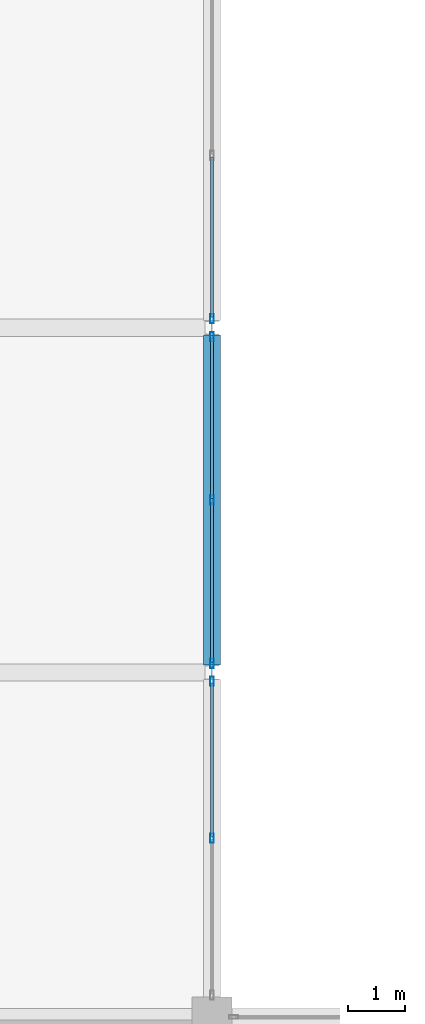
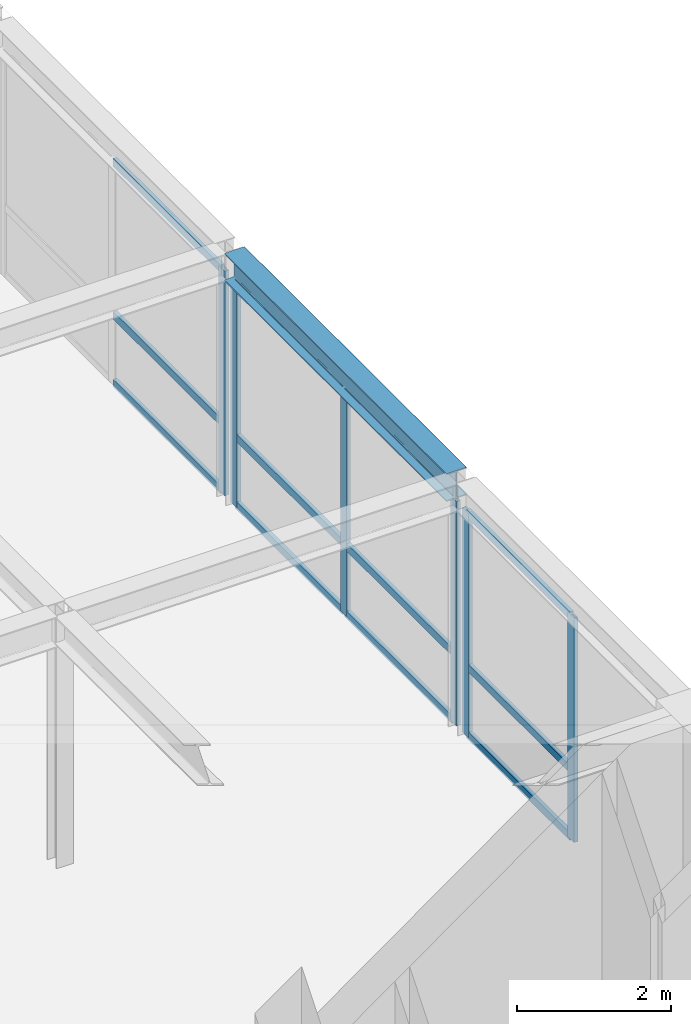
# One storey, part 42 of 111: 18 members, 1 beam, 3 elements without a shape of their own.
"""IFC4 building model written with IfcOpenShell, lengths in metres."""

from ifc_helpers import new_model, si_unit, direction, frame, origin, origin_2d, place, context, subcontext, project, spatial, hollow_rectangle, i_section, extrude, material, layer, layer_set, material_profile, profile_set, type_object, element, aggregate, save


model = new_model("IFC4")

# Units and contexts
model_context = context("Model", 3, precision=1e-05, world=origin(), true_north=direction((0.0, 1.0)))
body_context = subcontext(model_context, "Body", "Model", "MODEL_VIEW")
ifc_project = project(units=[si_unit("LENGTHUNIT", "METRE"), si_unit("AREAUNIT", "SQUARE_METRE"), si_unit("VOLUMEUNIT", "CUBIC_METRE"), si_unit("PLANEANGLEUNIT", "RADIAN"), si_unit("MASSUNIT", "GRAM", prefix="KILO")], contexts=[model_context])

# Site, building, storey
site_placement = place(None, origin())
site = spatial("IfcSite", under=ifc_project, at=site_placement, CompositionType="ELEMENT")
building_placement = place(site_placement, origin())
building = spatial("IfcBuilding", under=site, at=building_placement, Name="Zlatovratsky Civic Hall", CompositionType="ELEMENT")
storey_placement = place(building_placement, frame((0.0, 0.0, 16.5)))
storey = spatial("IfcBuildingStorey", under=building, at=storey_placement, Name="L04", CompositionType="ELEMENT", Elevation=16.5)

# Beam
ifc_material_1 = material(Name="Steel S355", Category="steel")
ifc_material_profile_1 = material_profile(ifc_material_1, i_section(OverallWidth=0.300048828125, OverallDepth=0.43994140625, WebThickness=0.010986328125, FlangeThickness=0.01806640625, FilletRadius=0.02197265625, at=origin_2d()), Name="45Sh1")
ifc_profile_set_1 = profile_set([ifc_material_profile_1], Name="Steel S355")
beam_type = type_object("IfcBeamType", Name="Beam_TowerLow_45Sh1", PredefinedType="BEAM", material=ifc_profile_set_1)
beam_placement = place(storey_placement, frame((18.0, 36.125, 3.780029296875), z_axis=(0.0, 1.0, 0.0), x_axis=(-1.0, 0.0, 0.0)))
element("IfcBeam", 1, at=beam_placement, inside=storey, type_object=beam_type, Name="BM-3550", PredefinedType="BEAM", context=body_context, shape_type="SweptSolid", body=[
    extrude(i_section(OverallWidth=0.300048828125, OverallDepth=0.43994140625, WebThickness=0.010986328125, FlangeThickness=0.01806640625, FilletRadius=0.02197265625, at=origin_2d()), origin(), (0.0, 0.0, 1.0), 5.75),
])

# Curtain wall, members
ifc_material_2 = material(Name="Anodised bronze aluminium", Category="aluminium")
ifc_layer_1 = layer(ifc_material_2, 0.159912109375)
ifc_layer_set_1 = layer_set([ifc_layer_1], Name="Anodised bronze aluminium")
curtain_wall_type_1 = type_object("IfcCurtainWallType", Name="CurtainWall_Bronze_5520x3550_16", PredefinedType="NOTDEFINED", material=ifc_layer_set_1)
curtain_wall_1_placement = place(storey_placement, origin())
curtain_wall_1 = element("IfcCurtainWall", 2, at=curtain_wall_1_placement, inside=storey, type_object=curtain_wall_type_1, Name="CW-099", PredefinedType="NOTDEFINED")
ifc_material_profile_2 = material_profile(ifc_material_2, hollow_rectangle(XDim=0.06005859375, YDim=0.159912109375, WallThickness=0.00390625, at=origin_2d()), Name="ALU 60x160x4")
ifc_profile_set_2 = profile_set([ifc_material_profile_2], Name="Anodised bronze aluminium")
member_type_1 = type_object("IfcMemberType", Name="CW_Mullion_60x160", PredefinedType="MULLION", material=ifc_profile_set_2)
member_1_placement = place(storey_placement, frame((18.0, 33.112548828125, 0.0), z_axis=(0.0, 0.0, 1.0), x_axis=(-1.0, 0.0, 0.0)))
member_1 = element("IfcMember", 3, at=member_1_placement, type_object=member_type_1, Name="CW-16 mullion 2", PredefinedType="MULLION", context=body_context, shape_type="SweptSolid", body=[
    extrude(hollow_rectangle(XDim=0.06005859375, YDim=0.159912109375, WallThickness=0.00390625, at=origin_2d()), origin(), (0.0, 0.0, 1.0), 3.550048828125),
])
member_2_placement = place(storey_placement, frame((18.0, 35.844970703125, 0.0), z_axis=(0.0, 0.0, 1.0), x_axis=(-1.0, 0.0, 0.0)))
member_2 = element("IfcMember", 4, at=member_2_placement, type_object=member_type_1, Name="CW-16 mullion 3", PredefinedType="MULLION", context=body_context, shape_type="SweptSolid", body=[
    extrude(hollow_rectangle(XDim=0.06005859375, YDim=0.159912109375, WallThickness=0.00390625, at=origin_2d()), origin(), (0.0, 0.0, 1.0), 3.550048828125),
])

ifc_layer_2 = layer(ifc_material_2, 0.159912109375)
ifc_layer_set_2 = layer_set([ifc_layer_2], Name="Anodised bronze aluminium")
curtain_wall_type_2 = type_object("IfcCurtainWallType", Name="CurtainWall_Bronze_5750x3550_18", PredefinedType="NOTDEFINED", material=ifc_layer_set_2)
curtain_wall_2_placement = place(storey_placement, origin())
curtain_wall_2 = element("IfcCurtainWall", 5, at=curtain_wall_2_placement, inside=storey, type_object=curtain_wall_type_2, Name="CW-100", PredefinedType="NOTDEFINED")
member_3_placement = place(storey_placement, frame((18.0, 36.155029296875, 0.0), z_axis=(0.0, 0.0, 1.0), x_axis=(-1.0, 0.0, 0.0)))
member_3 = element("IfcMember", 6, at=member_3_placement, type_object=member_type_1, Name="CW-18 mullion 1", PredefinedType="MULLION", context=body_context, shape_type="SweptSolid", body=[
    extrude(hollow_rectangle(XDim=0.06005859375, YDim=0.159912109375, WallThickness=0.00390625, at=origin_2d()), origin(), (0.0, 0.0, 1.0), 3.550048828125),
])
member_4_placement = place(storey_placement, frame((18.0, 39.0, 0.0), z_axis=(0.0, 0.0, 1.0), x_axis=(-1.0, 0.0, 0.0)))
member_4 = element("IfcMember", 7, at=member_4_placement, type_object=member_type_1, Name="CW-18 mullion 2", PredefinedType="MULLION", context=body_context, shape_type="SweptSolid", body=[
    extrude(hollow_rectangle(XDim=0.06005859375, YDim=0.159912109375, WallThickness=0.00390625, at=origin_2d()), origin(), (0.0, 0.0, 1.0), 3.550048828125),
])
member_5_placement = place(storey_placement, frame((18.0, 41.844970703125, 0.0), z_axis=(0.0, 0.0, 1.0), x_axis=(-1.0, 0.0, 0.0)))
member_5 = element("IfcMember", 8, at=member_5_placement, type_object=member_type_1, Name="CW-18 mullion 3", PredefinedType="MULLION", context=body_context, shape_type="SweptSolid", body=[
    extrude(hollow_rectangle(XDim=0.06005859375, YDim=0.159912109375, WallThickness=0.00390625, at=origin_2d()), origin(), (0.0, 0.0, 1.0), 3.550048828125),
])

# Curtain wall, member
curtain_wall_3_placement = place(storey_placement, origin())
curtain_wall_3 = element("IfcCurtainWall", 9, at=curtain_wall_3_placement, inside=storey, type_object=curtain_wall_type_2, Name="CW-101", PredefinedType="NOTDEFINED")
member_6_placement = place(storey_placement, frame((18.0, 42.155029296875, 0.0), z_axis=(0.0, 0.0, 1.0), x_axis=(-1.0, 0.0, 0.0)))
member_6 = element("IfcMember", 10, at=member_6_placement, type_object=member_type_1, Name="CW-18 mullion 1", PredefinedType="MULLION", context=body_context, shape_type="SweptSolid", body=[
    extrude(hollow_rectangle(XDim=0.06005859375, YDim=0.159912109375, WallThickness=0.00390625, at=origin_2d()), origin(), (0.0, 0.0, 1.0), 3.550048828125),
])

# Member
ifc_material_profile_3 = material_profile(ifc_material_2, hollow_rectangle(XDim=0.06005859375, YDim=0.1201171875, WallThickness=0.00390625, at=origin_2d()), Name="ALU 60x120x4")
ifc_profile_set_3 = profile_set([ifc_material_profile_3], Name="Anodised bronze aluminium")
member_type_2 = type_object("IfcMemberType", Name="CW_Transom_60x120", PredefinedType="USERDEFINED", material=ifc_profile_set_3)
member_7_placement = place(storey_placement, frame((18.0, 33.142578125, 0.030029296875), z_axis=(0.0, 1.0, 0.0), x_axis=(-1.0, 0.0, 0.0)))
member_7 = element("IfcMember", 11, at=member_7_placement, type_object=member_type_2, Name="CW-16 transom 2.1", ObjectType="TRANSOM", PredefinedType="USERDEFINED", context=body_context, shape_type="SweptSolid", body=[
    extrude(hollow_rectangle(XDim=0.06005859375, YDim=0.1201171875, WallThickness=0.00390625, at=origin_2d()), origin(), (0.0, 0.0, 1.0), 2.67236328125),
])

member_8_placement = place(storey_placement, frame((18.0, 33.142578125, 1.10009765625), z_axis=(0.0, 1.0, 0.0), x_axis=(-1.0, 0.0, 0.0)))
member_8 = element("IfcMember", 12, at=member_8_placement, type_object=member_type_2, Name="CW-16 transom 2.2", ObjectType="TRANSOM", PredefinedType="USERDEFINED", context=body_context, shape_type="SweptSolid", body=[
    extrude(hollow_rectangle(XDim=0.06005859375, YDim=0.1201171875, WallThickness=0.00390625, at=origin_2d()), origin(), (0.0, 0.0, 1.0), 2.67236328125),
])

member_9_placement = place(storey_placement, frame((18.0, 33.142578125, 3.52001953125), z_axis=(0.0, 1.0, 0.0), x_axis=(-1.0, 0.0, 0.0)))
member_9 = element("IfcMember", 13, at=member_9_placement, type_object=member_type_2, Name="CW-16 transom 2.3", ObjectType="TRANSOM", PredefinedType="USERDEFINED", context=body_context, shape_type="SweptSolid", body=[
    extrude(hollow_rectangle(XDim=0.06005859375, YDim=0.1201171875, WallThickness=0.00390625, at=origin_2d()), origin(), (0.0, 0.0, 1.0), 2.67236328125),
])

aggregate(curtain_wall_1, [member_1, member_2, member_7, member_8, member_9])

member_10_placement = place(storey_placement, frame((18.0, 36.18505859375, 0.030029296875), z_axis=(0.0, 1.0, 0.0), x_axis=(-1.0, 0.0, 0.0)))
member_10 = element("IfcMember", 14, at=member_10_placement, type_object=member_type_2, Name="CW-18 transom 1.1", ObjectType="TRANSOM", PredefinedType="USERDEFINED", context=body_context, shape_type="SweptSolid", body=[
    extrude(hollow_rectangle(XDim=0.06005859375, YDim=0.1201171875, WallThickness=0.00390625, at=origin_2d()), origin(), (0.0, 0.0, 1.0), 2.784912109375),
])

member_11_placement = place(storey_placement, frame((18.0, 36.18505859375, 1.10009765625), z_axis=(0.0, 1.0, 0.0), x_axis=(-1.0, 0.0, 0.0)))
member_11 = element("IfcMember", 15, at=member_11_placement, type_object=member_type_2, Name="CW-18 transom 1.2", ObjectType="TRANSOM", PredefinedType="USERDEFINED", context=body_context, shape_type="SweptSolid", body=[
    extrude(hollow_rectangle(XDim=0.06005859375, YDim=0.1201171875, WallThickness=0.00390625, at=origin_2d()), origin(), (0.0, 0.0, 1.0), 2.784912109375),
])

member_12_placement = place(storey_placement, frame((18.0, 36.18505859375, 3.52001953125), z_axis=(0.0, 1.0, 0.0), x_axis=(-1.0, 0.0, 0.0)))
member_12 = element("IfcMember", 16, at=member_12_placement, type_object=member_type_2, Name="CW-18 transom 1.3", ObjectType="TRANSOM", PredefinedType="USERDEFINED", context=body_context, shape_type="SweptSolid", body=[
    extrude(hollow_rectangle(XDim=0.06005859375, YDim=0.1201171875, WallThickness=0.00390625, at=origin_2d()), origin(), (0.0, 0.0, 1.0), 2.784912109375),
])

member_13_placement = place(storey_placement, frame((18.0, 39.030029296875, 0.030029296875), z_axis=(0.0, 1.0, 0.0), x_axis=(-1.0, 0.0, 0.0)))
member_13 = element("IfcMember", 17, at=member_13_placement, type_object=member_type_2, Name="CW-18 transom 2.1", ObjectType="TRANSOM", PredefinedType="USERDEFINED", context=body_context, shape_type="SweptSolid", body=[
    extrude(hollow_rectangle(XDim=0.06005859375, YDim=0.1201171875, WallThickness=0.00390625, at=origin_2d()), origin(), (0.0, 0.0, 1.0), 2.784912109375),
])

member_14_placement = place(storey_placement, frame((18.0, 39.030029296875, 1.10009765625), z_axis=(0.0, 1.0, 0.0), x_axis=(-1.0, 0.0, 0.0)))
member_14 = element("IfcMember", 18, at=member_14_placement, type_object=member_type_2, Name="CW-18 transom 2.2", ObjectType="TRANSOM", PredefinedType="USERDEFINED", context=body_context, shape_type="SweptSolid", body=[
    extrude(hollow_rectangle(XDim=0.06005859375, YDim=0.1201171875, WallThickness=0.00390625, at=origin_2d()), origin(), (0.0, 0.0, 1.0), 2.784912109375),
])

member_15_placement = place(storey_placement, frame((18.0, 39.030029296875, 3.52001953125), z_axis=(0.0, 1.0, 0.0), x_axis=(-1.0, 0.0, 0.0)))
member_15 = element("IfcMember", 19, at=member_15_placement, type_object=member_type_2, Name="CW-18 transom 2.3", ObjectType="TRANSOM", PredefinedType="USERDEFINED", context=body_context, shape_type="SweptSolid", body=[
    extrude(hollow_rectangle(XDim=0.06005859375, YDim=0.1201171875, WallThickness=0.00390625, at=origin_2d()), origin(), (0.0, 0.0, 1.0), 2.784912109375),
])

aggregate(curtain_wall_2, [member_3, member_4, member_5, member_10, member_11, member_12, member_13, member_14, member_15])

member_16_placement = place(storey_placement, frame((18.0, 42.18505859375, 0.030029296875), z_axis=(0.0, 1.0, 0.0), x_axis=(-1.0, 0.0, 0.0)))
member_16 = element("IfcMember", 20, at=member_16_placement, type_object=member_type_2, Name="CW-18 transom 1.1", ObjectType="TRANSOM", PredefinedType="USERDEFINED", context=body_context, shape_type="SweptSolid", body=[
    extrude(hollow_rectangle(XDim=0.06005859375, YDim=0.1201171875, WallThickness=0.00390625, at=origin_2d()), origin(), (0.0, 0.0, 1.0), 2.784912109375),
])

member_17_placement = place(storey_placement, frame((18.0, 42.18505859375, 1.10009765625), z_axis=(0.0, 1.0, 0.0), x_axis=(-1.0, 0.0, 0.0)))
member_17 = element("IfcMember", 21, at=member_17_placement, type_object=member_type_2, Name="CW-18 transom 1.2", ObjectType="TRANSOM", PredefinedType="USERDEFINED", context=body_context, shape_type="SweptSolid", body=[
    extrude(hollow_rectangle(XDim=0.06005859375, YDim=0.1201171875, WallThickness=0.00390625, at=origin_2d()), origin(), (0.0, 0.0, 1.0), 2.784912109375),
])

member_18_placement = place(storey_placement, frame((18.0, 42.18505859375, 3.52001953125), z_axis=(0.0, 1.0, 0.0), x_axis=(-1.0, 0.0, 0.0)))
member_18 = element("IfcMember", 22, at=member_18_placement, type_object=member_type_2, Name="CW-18 transom 1.3", ObjectType="TRANSOM", PredefinedType="USERDEFINED", context=body_context, shape_type="SweptSolid", body=[
    extrude(hollow_rectangle(XDim=0.06005859375, YDim=0.1201171875, WallThickness=0.00390625, at=origin_2d()), origin(), (0.0, 0.0, 1.0), 2.784912109375),
])

aggregate(curtain_wall_3, [member_6, member_16, member_17, member_18])

save(model, "model.ifc")
